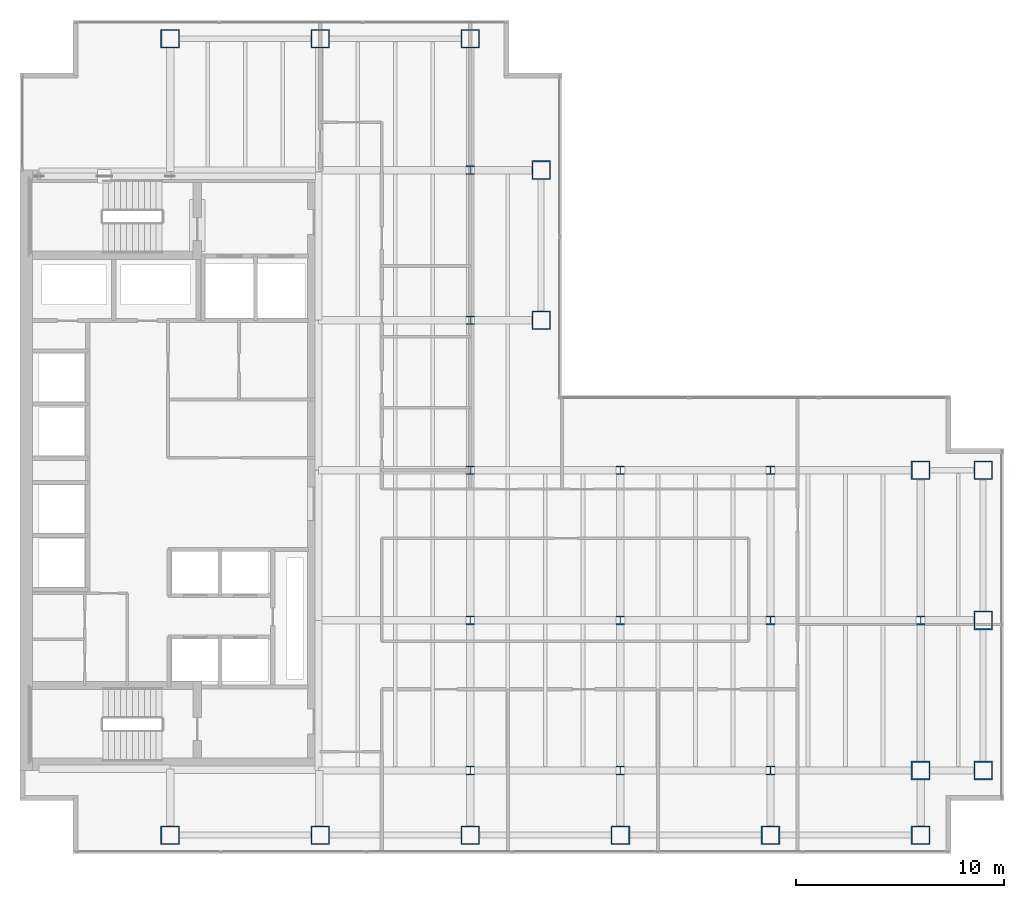
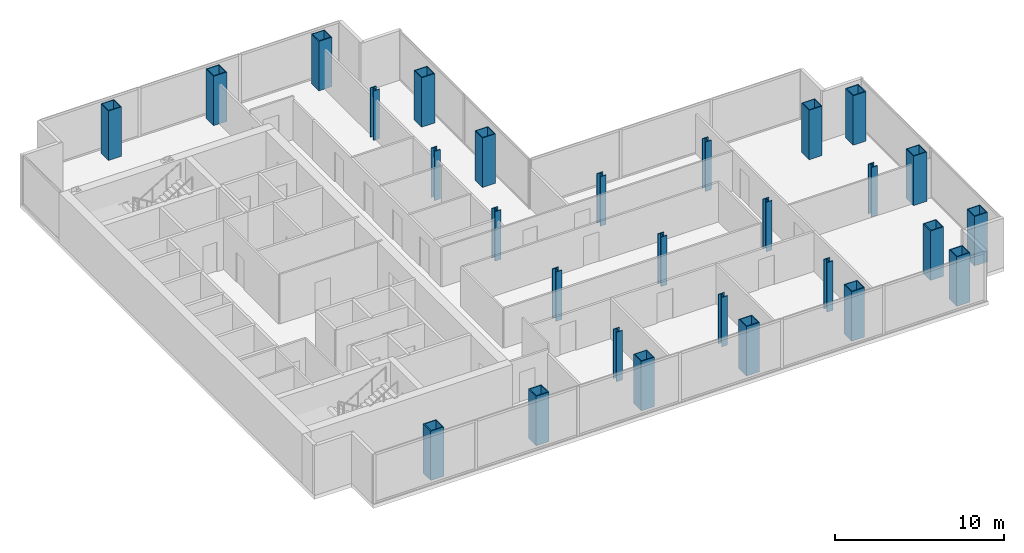
# One storey, part 1 of 23: 28 columns.
"""IFC4 building model written with IfcOpenShell, lengths in metres."""

from ifc_helpers import new_model, si_unit, direction, frame, origin, origin_2d, place, context, subcontext, project, spatial, hollow_rectangle, i_section, extrude, material, material_profile, profile_set, type_object, element, save


model = new_model("IFC4")

# Units and contexts
model_context = context("Model", 3, precision=1e-05, world=origin(), true_north=direction((0.0, 1.0)))
body_context = subcontext(model_context, "Body", "Model", "MODEL_VIEW")
ifc_project = project(units=[si_unit("LENGTHUNIT", "METRE"), si_unit("AREAUNIT", "SQUARE_METRE"), si_unit("VOLUMEUNIT", "CUBIC_METRE"), si_unit("PLANEANGLEUNIT", "RADIAN"), si_unit("MASSUNIT", "GRAM", prefix="KILO")], contexts=[model_context])

# Site, building, storey
site_placement = place(None, origin())
site = spatial("IfcSite", under=ifc_project, at=site_placement, CompositionType="ELEMENT")
building_placement = place(site_placement, origin())
building = spatial("IfcBuilding", under=site, at=building_placement, Name="Cobrela Telecom Tower", CompositionType="ELEMENT")
storey_placement = place(building_placement, frame((0.0, 0.0, 133.0)))
storey = spatial("IfcBuildingStorey", under=building, at=storey_placement, Name="L33", CompositionType="ELEMENT", Elevation=133.0)

# Columns
ifc_material_1 = material(Name="Steel ASTM A992 Grade 50", Category="steel")
ifc_material_profile_1 = material_profile(ifc_material_1, i_section(OverallWidth=0.408935546875, OverallDepth=0.424072265625, WebThickness=0.03271484375, FlangeThickness=0.052490234375, FilletRadius=0.01806640625, at=origin_2d()), Name="W14X283")
ifc_profile_set_1 = profile_set([ifc_material_profile_1], Name="Steel ASTM A992 Grade 50")
column_type_1 = type_object("IfcColumnType", Name="COL-INT-05", PredefinedType="COLUMN", material=ifc_profile_set_1)
for number, where, z_axis, x_axis, name in (
    (1, (21.60009765625, 7.199951171875, 0.0), (0.0, 0.0, 1.0), (1.0, 0.0, 0.0), "L33 Interior Column 06"),
    (2, (21.60009765625, 14.39990234375, 0.0), (0.0, 0.0, 1.0), (1.0, 0.0, 0.0), "L33 Interior Column 07"),
    (3, (21.60009765625, 21.60009765625, 0.0), (0.0, 0.0, 1.0), (1.0, 0.0, 0.0), "L33 Interior Column 08"),
    (4, (21.60009765625, 28.800048828125, 0.0), (0.0, 0.0, 1.0), (1.0, 0.0, 0.0), "L33 Interior Column 09"),
    (5, (21.60009765625, 36.0, 0.0), (0.0, 0.0, 1.0), (1.0, 0.0, 0.0), "L33 Interior Column 10"),
    (6, (28.800048828125, 7.199951171875, 0.0), (0.0, 0.0, 1.0), (1.0, 0.0, 0.0), "L33 Interior Column 15"),
    (7, (28.800048828125, 14.39990234375, 0.0), (0.0, 0.0, 1.0), (1.0, 0.0, 0.0), "L33 Interior Column 16"),
    (8, (28.800048828125, 21.60009765625, 0.0), (0.0, 0.0, 1.0), (1.0, 0.0, 0.0), "L33 Interior Column 17"),
    (9, (36.0, 7.199951171875, 0.0), (0.0, 0.0, 1.0), (1.0, 0.0, 0.0), "L33 Interior Column 19"),
    (10, (36.0, 14.39990234375, 0.0), (0.0, 0.0, 1.0), (1.0, 0.0, 0.0), "L33 Interior Column 20"),
    (11, (36.0, 21.60009765625, 0.0), (0.0, 0.0, 1.0), (1.0, 0.0, 0.0), "L33 Interior Column 21"),
    (12, (43.199951171875, 14.39990234375, 0.0), (0.0, 0.0, 1.0), (1.0, 0.0, 0.0), "L33 Interior Column 24"),
):
    element("IfcColumn", number, at=place(storey_placement, frame(where, z_axis=z_axis, x_axis=x_axis)), inside=storey, type_object=column_type_1, Name=name, PredefinedType="COLUMN", context=body_context, shape_type="SweptSolid", body=[
        extrude(i_section(OverallWidth=0.408935546875, OverallDepth=0.424072265625, WebThickness=0.03271484375, FlangeThickness=0.052490234375, FilletRadius=0.01806640625, at=origin_2d()), origin(), (0.0, 0.0, 1.0), 3.580078125),
    ])
ifc_material_2 = material(Name="Steel ASTM A572 Grade 50", Category="steel")
ifc_material_profile_2 = material_profile(ifc_material_2, hollow_rectangle(XDim=0.89990234375, YDim=0.89990234375, WallThickness=0.054931640625, at=origin_2d()), Name="BOX 900x900x55")
ifc_profile_set_2 = profile_set([ifc_material_profile_2], Name="Steel ASTM A572 Grade 50")
column_type_2 = type_object("IfcColumnType", Name="COL-MEGA-05", PredefinedType="COLUMN", material=ifc_profile_set_2)
for number, where, z_axis, x_axis, name in (
    (13, (7.199951171875, 4.10009765625, 0.0), (0.0, 0.0, 1.0), (1.0, 0.0, 0.0), "L33 Perimeter Mega-Column 01"),
    (14, (7.199951171875, 42.300048828125, 0.0), (0.0, 0.0, 1.0), (1.0, 0.0, 0.0), "L33 Perimeter Mega-Column 02"),
    (15, (14.39990234375, 4.10009765625, 0.0), (0.0, 0.0, 1.0), (1.0, 0.0, 0.0), "L33 Perimeter Mega-Column 03"),
    (16, (14.39990234375, 42.300048828125, 0.0), (0.0, 0.0, 1.0), (1.0, 0.0, 0.0), "L33 Perimeter Mega-Column 04"),
    (17, (21.60009765625, 4.10009765625, 0.0), (0.0, 0.0, 1.0), (1.0, 0.0, 0.0), "L33 Perimeter Mega-Column 05"),
    (18, (21.60009765625, 42.300048828125, 0.0), (0.0, 0.0, 1.0), (1.0, 0.0, 0.0), "L33 Perimeter Mega-Column 11"),
    (19, (25.0, 28.800048828125, 0.0), (0.0, 0.0, 1.0), (1.0, 0.0, 0.0), "L33 Perimeter Mega-Column 12"),
    (20, (25.0, 36.0, 0.0), (0.0, 0.0, 1.0), (1.0, 0.0, 0.0), "L33 Perimeter Mega-Column 13"),
    (21, (28.800048828125, 4.10009765625, 0.0), (0.0, 0.0, 1.0), (1.0, 0.0, 0.0), "L33 Perimeter Mega-Column 14"),
    (22, (36.0, 4.10009765625, 0.0), (0.0, 0.0, 1.0), (1.0, 0.0, 0.0), "L33 Perimeter Mega-Column 18"),
    (23, (43.199951171875, 4.10009765625, 0.0), (0.0, 0.0, 1.0), (1.0, 0.0, 0.0), "L33 Perimeter Mega-Column 22"),
    (24, (43.199951171875, 7.199951171875, 0.0), (0.0, 0.0, 1.0), (1.0, 0.0, 0.0), "L33 Perimeter Mega-Column 23"),
    (25, (43.199951171875, 21.60009765625, 0.0), (0.0, 0.0, 1.0), (1.0, 0.0, 0.0), "L33 Perimeter Mega-Column 25"),
    (26, (46.199951171875, 7.199951171875, 0.0), (0.0, 0.0, 1.0), (1.0, 0.0, 0.0), "L33 Perimeter Mega-Column 26"),
    (27, (46.199951171875, 14.39990234375, 0.0), (0.0, 0.0, 1.0), (1.0, 0.0, 0.0), "L33 Perimeter Mega-Column 27"),
    (28, (46.199951171875, 21.60009765625, 0.0), (0.0, 0.0, 1.0), (1.0, 0.0, 0.0), "L33 Perimeter Mega-Column 28"),
):
    element("IfcColumn", number, at=place(storey_placement, frame(where, z_axis=z_axis, x_axis=x_axis)), inside=storey, type_object=column_type_2, Name=name, PredefinedType="COLUMN", context=body_context, shape_type="SweptSolid", body=[
        extrude(hollow_rectangle(XDim=0.89990234375, YDim=0.89990234375, WallThickness=0.054931640625, at=origin_2d()), origin(), (0.0, 0.0, 1.0), 3.580078125),
    ])

save(model, "model.ifc")
